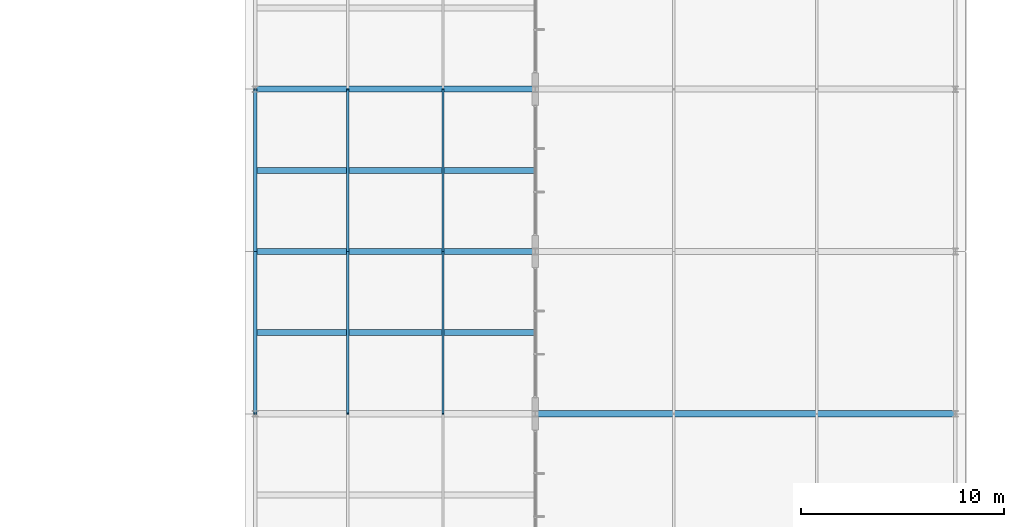
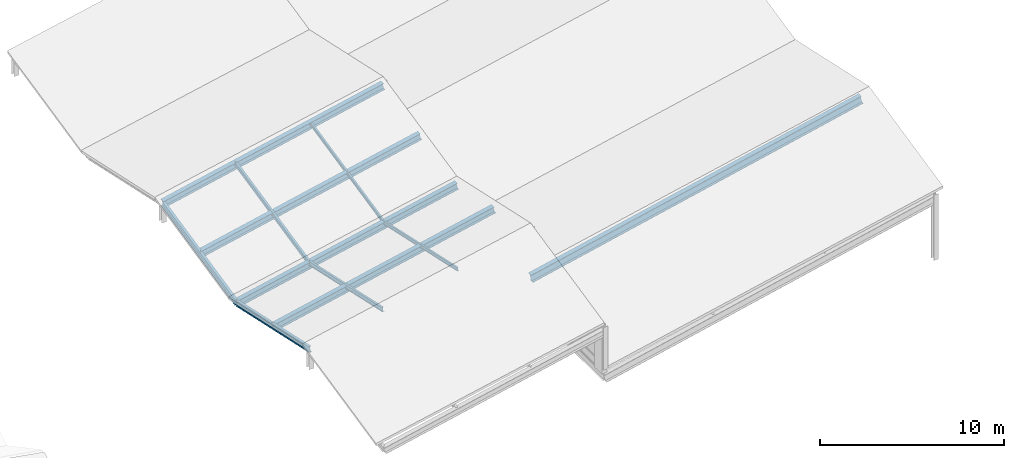
# One storey, part 43 of 109: 6 members, 5 beams.
"""IFC4 building model written with IfcOpenShell, lengths in metres."""

import ifcopenshell
import ifcopenshell.guid

model = None  # the IFC model being written
_history = None  # IfcOwnerHistory: only IFC2X3 demands one
_inside = {}  # id of a spatial element -> (the spatial element, [elements in it])
_under = {}  # id of a project, library or spatial element -> (it, [spatial elements below it])
_declared = {}  # id of a project -> (the project, [libraries it declares])
_typed = {}  # id of a type object -> (the type object, [elements of that type])
_made_of = {}  # id of a material, layer set ... -> (it, [elements and type objects made of it])


def new_model(schema):
    """Start an empty IFC model of exactly this schema.

    Asked for "IFC4X3", IfcOpenShell would pick the latest addendum, in which some entities
    have other attributes; the version numbers below select the first issue.
    IFC2X3 requires an IfcOwnerHistory on every rooted entity: one is made here for all.
    """
    global model, _history
    if schema == "IFC4X3":
        model = ifcopenshell.file(schema_version=(4, 3, 0, 0))
    else:
        model = ifcopenshell.file(schema=schema)
    _inside.clear()
    _under.clear()
    _declared.clear()
    _typed.clear()
    _made_of.clear()
    _history = None
    if model.schema == "IFC2X3":
        org = make("IfcOrganization", Name="unknown")
        user = make(
            "IfcPersonAndOrganization",
            ThePerson=make("IfcPerson", FamilyName="unknown"),
            TheOrganization=org,
        )
        app = make(
            "IfcApplication",
            ApplicationDeveloper=org,
            Version="unknown",
            ApplicationFullName="unknown",
            ApplicationIdentifier="unknown",
        )
        _history = make(
            "IfcOwnerHistory",
            OwningUser=user,
            OwningApplication=app,
            ChangeAction="ADDED",
            CreationDate=0,
        )
    return model


def make(cls, **values):
    """One entity of the class cls with the attributes given. An attribute that is None is left unset."""
    return model.create_entity(
        cls, **{name: value for name, value in values.items() if value is not None}
    )


def rooted(cls, **values):
    """An entity with a GlobalId (a new one), such as an element, a storey or a relation."""
    return make(cls, GlobalId=ifcopenshell.guid.new(), OwnerHistory=_history, **values)


def si_unit(unit_type, name, prefix=None):
    """IfcSIUnit, for example si_unit("LENGTHUNIT", "METRE", prefix="MILLI")."""
    return make("IfcSIUnit", UnitType=unit_type, Prefix=prefix, Name=name)


def assignment(units):
    """IfcUnitAssignment: the units of a project."""
    return None if units is None else make("IfcUnitAssignment", Units=units)


def point(xyz):
    """IfcCartesianPoint."""
    return None if xyz is None else make("IfcCartesianPoint", Coordinates=xyz)


def direction(xyz):
    """IfcDirection."""
    return None if xyz is None else make("IfcDirection", DirectionRatios=xyz)


def frame(location, z_axis=None, x_axis=None):
    """IfcAxis2Placement3D, a coordinate frame: its origin and axes. An axis left out is left unset."""
    return make(
        "IfcAxis2Placement3D",
        Location=point(location),
        Axis=direction(z_axis),
        RefDirection=direction(x_axis),
    )


def frame_2d(location, x_axis=None):
    """IfcAxis2Placement2D, a coordinate frame in the plane: its origin and x axis."""
    return make(
        "IfcAxis2Placement2D", Location=point(location), RefDirection=direction(x_axis)
    )


def origin():
    """The frame at (0, 0, 0) with its axes left unset."""
    return frame((0.0, 0.0, 0.0))


def origin_2d():
    """The frame at (0, 0) in the plane with its x axis left unset."""
    return frame_2d((0.0, 0.0))


def place(relative_to, where):
    """IfcLocalPlacement: puts the frame where relative to a parent placement (None: the world)."""
    return make(
        "IfcLocalPlacement", PlacementRelTo=relative_to, RelativePlacement=where
    )


def context(
    kind, dimensions, precision=None, world=None, true_north=None, identifier=None
):
    """IfcGeometricRepresentationContext, for example the 3D "Model" context."""
    return make(
        "IfcGeometricRepresentationContext",
        ContextIdentifier=identifier,
        ContextType=kind,
        CoordinateSpaceDimension=dimensions,
        Precision=precision,
        WorldCoordinateSystem=world,
        TrueNorth=true_north,
    )


def subcontext(parent, identifier, kind, view, scale=None):
    """IfcGeometricRepresentationSubContext, for example "Body" below "Model"."""
    return make(
        "IfcGeometricRepresentationSubContext",
        ContextIdentifier=identifier,
        ContextType=kind,
        ParentContext=parent,
        TargetScale=scale,
        TargetView=view,
    )


def project(units=None, contexts=None):
    """IfcProject with its units and contexts."""
    return rooted(
        "IfcProject",
        Name="project",
        RepresentationContexts=contexts,
        UnitsInContext=assignment(units),
    )


def spatial(cls, under=None, at=None, **own):
    """A site, building, storey or space (cls), placed at a placement, below another one or the project."""
    s = rooted(cls, ObjectPlacement=at, **own)
    if under is not None:
        _under.setdefault(under.id(), (under, []))[1].append(s)
    return s


def profile(cls, at=None, kind="AREA", **sizes):
    """A parametric profile (cls). Its sizes go by their IFC names, for example OverallWidth=200.0."""
    return make(cls, ProfileType=kind, Position=at, **sizes)


def i_section(**sizes):
    """IfcIShapeProfileDef."""
    return profile("IfcIShapeProfileDef", **sizes)


def extrude(swept, where, along, depth):
    """IfcExtrudedAreaSolid: the profile swept, set in the frame where, extruded along a direction by depth."""
    return make(
        "IfcExtrudedAreaSolid",
        SweptArea=swept,
        Position=where,
        ExtrudedDirection=direction(along),
        Depth=depth,
    )


def shape(context_of_items, identifier, shape_type, items):
    """IfcShapeRepresentation: the items that make up one representation, for example the "Body"."""
    return make(
        "IfcShapeRepresentation",
        ContextOfItems=context_of_items,
        RepresentationIdentifier=identifier,
        RepresentationType=shape_type,
        Items=items,
    )


def material(Name=None, Category=None):
    """IfcMaterial."""
    return make("IfcMaterial", Name=Name, Category=Category)


def material_profile(
    of_material, cross_section, Name=None, Category=None, Priority=None
):
    """IfcMaterialProfile: a cross section and its material."""
    return make(
        "IfcMaterialProfile",
        Name=Name,
        Material=of_material,
        Profile=cross_section,
        Priority=Priority,
        Category=Category,
    )


def profile_set(profiles, Name=None, composite=None):
    """IfcMaterialProfileSet."""
    return make(
        "IfcMaterialProfileSet",
        Name=Name,
        MaterialProfiles=profiles,
        CompositeProfile=composite,
    )


def made_of(thing, what):
    """Note that an element or type object is made of a material, layer set ...; save() writes the relation."""
    if what is not None:
        _made_of.setdefault(what.id(), (what, []))[1].append(thing)
    return thing


def type_object(cls, material=None, **own):
    """A type object (cls), such as IfcWallType, which elements share."""
    return made_of(rooted(cls, **own), material)


def element(
    cls,
    number,
    at=None,
    inside=None,
    cuts=None,
    type_object=None,
    material=None,
    context=None,
    identifier="Body",
    shape_type=None,
    held_by="IfcProductDefinitionShape",
    body=None,
    shapes=None,
    **own,
):
    """One element of the class cls, such as IfcWall. Its Tag is "e" and its number.

    at: its placement. inside: the storey or other place that contains it. cuts: it is an
    opening in that element (IfcRelVoidsElement). A single representation is given by context,
    identifier, shape_type and body (its items); several are given by shapes. held_by: the class
    of the entity that holds the representations. save() writes the other relations.
    """
    e = rooted(cls, Tag="e%d" % number, ObjectPlacement=at, **own)
    if body is not None:
        shapes = [shape(context, identifier, shape_type, body)]
    if shapes is not None:
        e.Representation = make(held_by, Representations=shapes)
    if inside is not None:
        _inside.setdefault(inside.id(), (inside, []))[1].append(e)
    if cuts is not None:
        rooted(
            "IfcRelVoidsElement", RelatingBuildingElement=cuts, RelatedOpeningElement=e
        )
    if type_object is not None:
        _typed.setdefault(type_object.id(), (type_object, []))[1].append(e)
    return made_of(e, material)


def aggregate(whole, parts):
    """IfcRelAggregates: a whole, such as a stair, and the parts it consists of."""
    return rooted("IfcRelAggregates", RelatingObject=whole, RelatedObjects=parts)


def save(model, path):
    """Write the relations noted so far, then the file.

    IfcRelAggregates (storeys below a building ...), IfcRelContainedInSpatialStructure (elements
    in a storey), IfcRelDefinesByType, IfcRelAssociatesMaterial and IfcRelDeclares: one each for
    every whole, place, type object, material and project.
    """
    for whole, parts in _under.values():
        aggregate(whole, parts)
    for where, things in _inside.values():
        rooted(
            "IfcRelContainedInSpatialStructure",
            RelatedElements=things,
            RelatingStructure=where,
        )
    for kind, things in _typed.values():
        rooted("IfcRelDefinesByType", RelatedObjects=things, RelatingType=kind)
    for what, things in _made_of.values():
        rooted("IfcRelAssociatesMaterial", RelatedObjects=things, RelatingMaterial=what)
    for by, libraries in _declared.values():
        rooted("IfcRelDeclares", RelatingContext=by, RelatedDefinitions=libraries)
    model.write(path)


model = new_model("IFC4")

# Units and contexts
model_context = context("Model", 3, precision=1e-05, world=origin(), true_north=direction((0.0, 1.0)))
body_context = subcontext(model_context, "Body", "Model", "MODEL_VIEW")
ifc_project = project(units=[si_unit("LENGTHUNIT", "METRE"), si_unit("AREAUNIT", "SQUARE_METRE"), si_unit("VOLUMEUNIT", "CUBIC_METRE"), si_unit("PLANEANGLEUNIT", "RADIAN"), si_unit("MASSUNIT", "GRAM", prefix="KILO")], contexts=[model_context])

# Site, building, storey
site_placement = place(None, origin())
site = spatial("IfcSite", under=ifc_project, at=site_placement, CompositionType="ELEMENT")
building_placement = place(site_placement, origin())
building = spatial("IfcBuilding", under=site, at=building_placement, Name="Zavelmont Quarter", CompositionType="ELEMENT")
storey_placement = place(building_placement, frame((0.0, 0.0, 8.0)))
storey = spatial("IfcBuildingStorey", under=building, at=storey_placement, Name="L02", CompositionType="ELEMENT", Elevation=8.0)

# Beams
ifc_material = material(Name="Steel S355", Category="steel")
ifc_material_profile_1 = material_profile(ifc_material, i_section(OverallWidth=0.300048828125, OverallDepth=0.43994140625, WebThickness=0.011474609375, FlangeThickness=0.02099609375, at=origin_2d()), Name="HEA 450")
ifc_profile_set_1 = profile_set([ifc_material_profile_1], Name="Steel S355")
beam_type_1 = type_object("IfcBeamType", Name="BM10", PredefinedType="BEAM", material=ifc_profile_set_1)
for number, where, z_axis, x_axis, name in (
    (1, (133.5, 54.0, -0.580078125), (0.977176519947, 0.0, 0.212428926618), (0.0, 1.0, 0.0), "L02 beam BM10 20/J to 22/J"),
    (2, (133.5, 62.0, 1.169921875), (0.977176519947, 0.0, 0.212428926618), (0.0, 1.0, 0.0), "L02 beam BM10 20/K to 22/K"),
):
    element("IfcBeam", number, at=place(storey_placement, frame(where, z_axis=z_axis, x_axis=x_axis)), inside=storey, type_object=beam_type_1, Name=name, PredefinedType="BEAM", context=body_context, shape_type="SweptSolid", body=[
        extrude(i_section(OverallWidth=0.300048828125, OverallDepth=0.43994140625, WebThickness=0.011474609375, FlangeThickness=0.02099609375, at=origin_2d()), origin(), (0.0, 0.0, 1.0), 14.122314453125),
    ])
ifc_material_profile_2 = material_profile(ifc_material, i_section(OverallWidth=0.300048828125, OverallDepth=0.5400390625, WebThickness=0.012451171875, FlangeThickness=0.02392578125, at=origin_2d()), Name="HEA 550")
ifc_profile_set_2 = profile_set([ifc_material_profile_2], Name="Steel S355")
beam_type_2 = type_object("IfcBeamType", Name="BM11", PredefinedType="BEAM", material=ifc_profile_set_2)
beam_placement = place(storey_placement, frame((147.300048828125, 46.0, 1.1201171875), z_axis=(0.97593670434, 0.0, 0.21805400506), x_axis=(0.0, 1.0, 0.0)))
element("IfcBeam", 3, at=beam_placement, inside=storey, type_object=beam_type_2, Name="L02 beam BM11 22/H to 25/H", PredefinedType="BEAM", context=body_context, shape_type="SweptSolid", body=[
    extrude(i_section(OverallWidth=0.300048828125, OverallDepth=0.5400390625, WebThickness=0.012451171875, FlangeThickness=0.02392578125, at=origin_2d()), origin(), (0.0, 0.0, 1.0), 21.21044921875),
])
ifc_material_profile_3 = material_profile(ifc_material, i_section(OverallWidth=0.169921875, OverallDepth=0.360107421875, WebThickness=0.008056640625, FlangeThickness=0.0126953125, at=origin_2d()), Name="IPE 360")
ifc_profile_set_3 = profile_set([ifc_material_profile_3], Name="Steel S355")
beam_type_3 = type_object("IfcBeamType", Name="BM13", PredefinedType="BEAM", material=ifc_profile_set_3)
for number, where, z_axis, x_axis, name in (
    (4, (133.5, 46.0, 1.2099609375), (0.0, 0.976900017396, -0.213696878805), (-1.0, 0.0, 0.0), "L02 beam BM13 20/H to 20/J"),
    (5, (133.5, 54.0, -0.5400390625), (0.0, 0.976900017396, 0.213696878805), (-1.0, 0.0, 0.0), "L02 beam BM13 20/J to 20/K"),
):
    element("IfcBeam", number, at=place(storey_placement, frame(where, z_axis=z_axis, x_axis=x_axis)), inside=storey, type_object=beam_type_3, Name=name, PredefinedType="BEAM", context=body_context, shape_type="SweptSolid", body=[
        extrude(i_section(OverallWidth=0.169921875, OverallDepth=0.360107421875, WebThickness=0.008056640625, FlangeThickness=0.0126953125, at=origin_2d()), origin(), (0.0, 0.0, 1.0), 8.189208984375),
    ])

# Members
ifc_material_profile_4 = material_profile(ifc_material, i_section(OverallWidth=0.135009765625, OverallDepth=0.27001953125, WebThickness=0.006591796875, FlangeThickness=0.01025390625, at=origin_2d()), Name="IPE 270")
ifc_profile_set_4 = profile_set([ifc_material_profile_4], Name="Steel S355")
member_type_1 = type_object("IfcMemberType", Name="PR01", PredefinedType="PURLIN", material=ifc_profile_set_4)
for number, where, z_axis, x_axis, name in (
    (6, (138.053955078125, 46.0, 2.260009765625), (0.0, 0.976900017396, -0.213696878805), (-1.0, 0.0, 0.0), "L02 member PR01 21/H to 21/J"),
    (7, (138.053955078125, 54.0, 0.510009765625), (0.0, 0.976900017396, 0.213696878805), (-1.0, 0.0, 0.0), "L02 member PR01 21/J to 21/K"),
):
    element("IfcMember", number, at=place(storey_placement, frame(where, z_axis=z_axis, x_axis=x_axis)), inside=storey, type_object=member_type_1, Name=name, PredefinedType="PURLIN", context=body_context, shape_type="SweptSolid", body=[
        extrude(i_section(OverallWidth=0.135009765625, OverallDepth=0.27001953125, WebThickness=0.006591796875, FlangeThickness=0.01025390625, at=origin_2d()), origin(), (0.0, 0.0, 1.0), 8.189208984375),
    ])
ifc_material_profile_5 = material_profile(ifc_material, i_section(OverallWidth=0.110107421875, OverallDepth=0.219970703125, WebThickness=0.005859375, FlangeThickness=0.00927734375, at=origin_2d()), Name="IPE 220")
ifc_profile_set_5 = profile_set([ifc_material_profile_5], Name="Steel S355")
member_type_2 = type_object("IfcMemberType", Name="PR02", PredefinedType="PURLIN", material=ifc_profile_set_5)
for number, where, z_axis, x_axis, name in (
    (8, (142.74609375, 46.0, 3.280029296875), (0.0, 0.976900017396, -0.213696878805), (-1.0, 0.0, 0.0), "L02 member PR02 21/H to 21/J"),
    (9, (142.74609375, 54.0, 1.530029296875), (0.0, 0.976900017396, 0.213696878805), (-1.0, 0.0, 0.0), "L02 member PR02 21/J to 21/K"),
):
    element("IfcMember", number, at=place(storey_placement, frame(where, z_axis=z_axis, x_axis=x_axis)), inside=storey, type_object=member_type_2, Name=name, PredefinedType="PURLIN", context=body_context, shape_type="SweptSolid", body=[
        extrude(i_section(OverallWidth=0.110107421875, OverallDepth=0.219970703125, WebThickness=0.005859375, FlangeThickness=0.00927734375, at=origin_2d()), origin(), (0.0, 0.0, 1.0), 8.189208984375),
    ])
ifc_material_profile_6 = material_profile(ifc_material, i_section(OverallWidth=0.300048828125, OverallDepth=0.43994140625, WebThickness=0.011474609375, FlangeThickness=0.02099609375, at=origin_2d()), Name="HEA 450")
ifc_profile_set_6 = profile_set([ifc_material_profile_6], Name="Steel S355")
member_type_3 = type_object("IfcMemberType", Name="RFM1", PredefinedType="RAFTER", material=ifc_profile_set_6)
for number, where, z_axis, x_axis, name in (
    (10, (133.5, 50.0, 0.27490234375), (0.977176519947, 0.0, 0.212428926618), (0.0, 1.0, 0.0), "L02 member RFM1 20/H to 22/H"),
    (11, (133.5, 58.0, 0.27490234375), (0.977176519947, 0.0, 0.212428926618), (0.0, 1.0, 0.0), "L02 member RFM1 20/J to 22/J"),
):
    element("IfcMember", number, at=place(storey_placement, frame(where, z_axis=z_axis, x_axis=x_axis)), inside=storey, type_object=member_type_3, Name=name, PredefinedType="RAFTER", context=body_context, shape_type="SweptSolid", body=[
        extrude(i_section(OverallWidth=0.300048828125, OverallDepth=0.43994140625, WebThickness=0.011474609375, FlangeThickness=0.02099609375, at=origin_2d()), origin(), (0.0, 0.0, 1.0), 14.122314453125),
    ])

save(model, "model.ifc")
